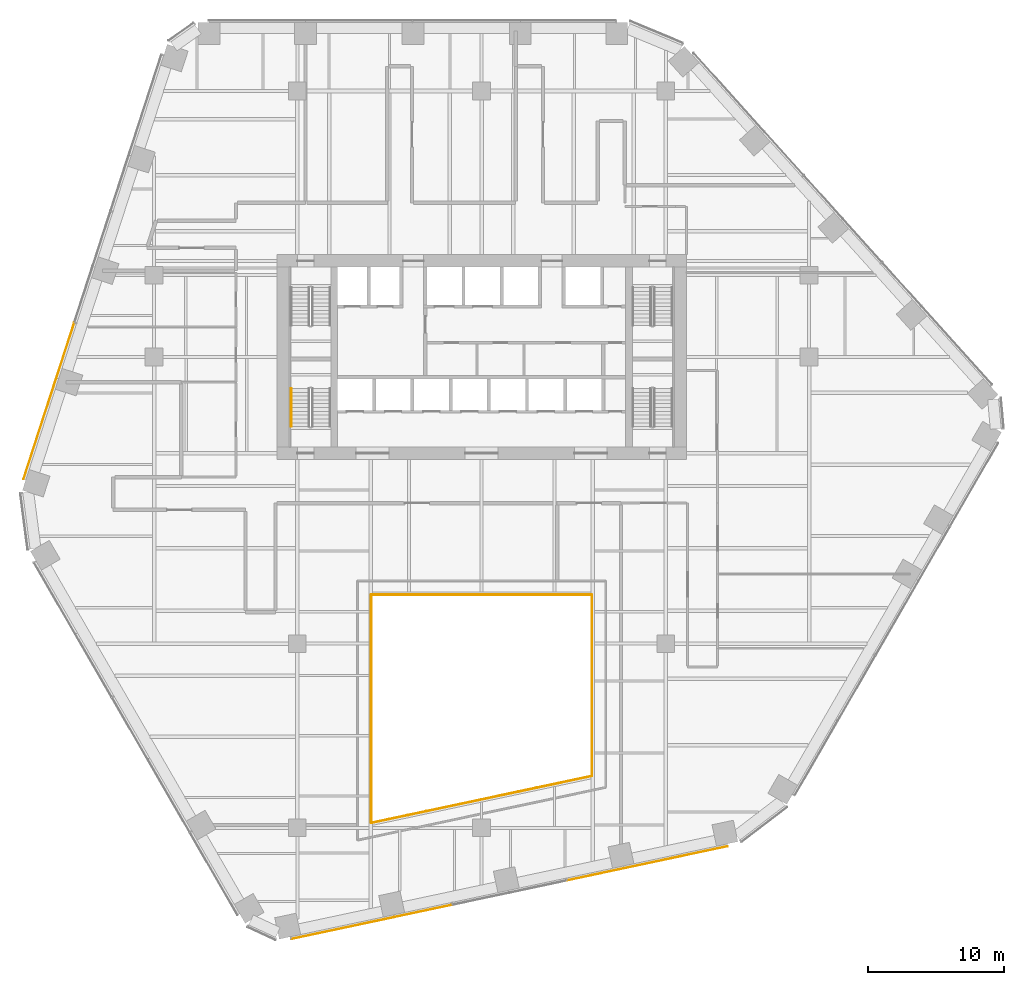
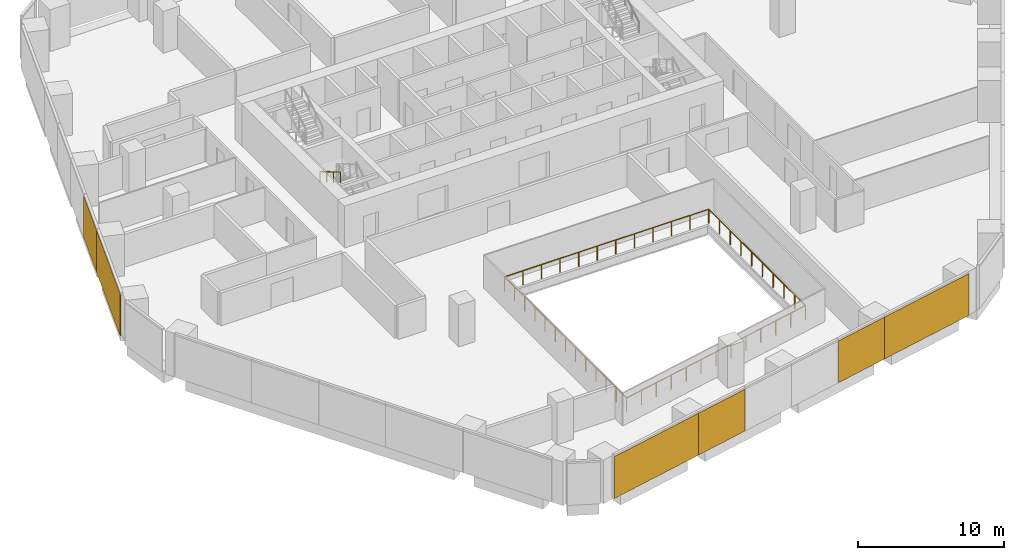
# One storey, part 18 of 21: 6 coverings, 5 railings, 2 elements without a shape of their own.
"""IFC4 building model written with IfcOpenShell, lengths in metres."""

from ifc_helpers import new_model, si_unit, direction, frame, origin, origin_2d, place, context, subcontext, project, spatial, rectangle, circle, extrude, material, layer, layer_set, type_object, element, aggregate, save


model = new_model("IFC4")

# Units and contexts
model_context = context("Model", 3, precision=1e-05, world=origin(), true_north=direction((0.0, 1.0)))
body_context = subcontext(model_context, "Body", "Model", "MODEL_VIEW")
ifc_project = project(units=[si_unit("LENGTHUNIT", "METRE"), si_unit("AREAUNIT", "SQUARE_METRE"), si_unit("VOLUMEUNIT", "CUBIC_METRE"), si_unit("PLANEANGLEUNIT", "RADIAN"), si_unit("MASSUNIT", "GRAM", prefix="KILO")], contexts=[model_context])

# Site, building, storey
site_placement = place(None, origin())
site = spatial("IfcSite", under=ifc_project, at=site_placement, CompositionType="ELEMENT")
building_placement = place(site_placement, origin())
building = spatial("IfcBuilding", under=site, at=building_placement, Name="Isthmus Gate Tower", CompositionType="ELEMENT")
storey_placement = place(building_placement, frame((0.0, 0.0, 102.550048828125)))
storey = spatial("IfcBuildingStorey", under=building, at=storey_placement, Name="L24", CompositionType="ELEMENT", Elevation=102.550048828125)

# Railings
ifc_material_1 = material(Name="Laminated toughened glass balustrade with steel rail", Category="steel")
railing_type_1 = type_object("IfcRailingType", Name="ATRIUM GUARD GLASS BALUSTRADE 1200", PredefinedType="GUARDRAIL", material=ifc_material_1)
railing_1_placement = place(storey_placement, frame((-8.080078125, -26.642822265625, 0.0)))
element("IfcRailing", 1, at=railing_1_placement, inside=storey, type_object=railing_type_1, Name="L24 atrium guard", PredefinedType="GUARDRAIL", context=body_context, shape_type="SweptSolid", body=[
    extrude(circle(Radius=0.02490234375, at=origin_2d()), frame((0.0, 0.0, 1.1748046875), z_axis=(0.0, 1.0, 0.0), x_axis=(-1.0, 0.0, 0.0)), (0.0, 0.0, 1.0), 16.722900390625),
    extrude(circle(Radius=0.02490234375, at=origin_2d()), origin(), (0.0, 0.0, 1.0), 1.14990234375),
    extrude(circle(Radius=0.02490234375, at=origin_2d()), frame((0.0, 1.3935546875, 0.0)), (0.0, 0.0, 1.0), 1.14990234375),
    extrude(circle(Radius=0.02490234375, at=origin_2d()), frame((0.0, 2.787109375, 0.0)), (0.0, 0.0, 1.0), 1.14990234375),
    extrude(circle(Radius=0.02490234375, at=origin_2d()), frame((0.0, 4.1806640625, 0.0)), (0.0, 0.0, 1.0), 1.14990234375),
    extrude(circle(Radius=0.02490234375, at=origin_2d()), frame((0.0, 5.57421875, 0.0)), (0.0, 0.0, 1.0), 1.14990234375),
    extrude(circle(Radius=0.02490234375, at=origin_2d()), frame((0.0, 6.9677734375, 0.0)), (0.0, 0.0, 1.0), 1.14990234375),
    extrude(circle(Radius=0.02490234375, at=origin_2d()), frame((0.0, 8.361328125, 0.0)), (0.0, 0.0, 1.0), 1.14990234375),
    extrude(circle(Radius=0.02490234375, at=origin_2d()), frame((0.0, 9.755126953125, 0.0)), (0.0, 0.0, 1.0), 1.14990234375),
    extrude(circle(Radius=0.02490234375, at=origin_2d()), frame((0.0, 11.148681640625, 0.0)), (0.0, 0.0, 1.0), 1.14990234375),
    extrude(circle(Radius=0.02490234375, at=origin_2d()), frame((0.0, 12.542236328125, 0.0)), (0.0, 0.0, 1.0), 1.14990234375),
    extrude(circle(Radius=0.02490234375, at=origin_2d()), frame((0.0, 13.935791015625, 0.0)), (0.0, 0.0, 1.0), 1.14990234375),
    extrude(circle(Radius=0.02490234375, at=origin_2d()), frame((0.0, 15.329345703125, 0.0)), (0.0, 0.0, 1.0), 1.14990234375),
    extrude(circle(Radius=0.02490234375, at=origin_2d()), frame((0.0, 16.722900390625, 0.0)), (0.0, 0.0, 1.0), 1.14990234375),
])
railing_2_placement = place(storey_placement, frame((-8.080078125, -9.919921875, 0.0)))
element("IfcRailing", 2, at=railing_2_placement, inside=storey, type_object=railing_type_1, Name="L24 atrium guard", PredefinedType="GUARDRAIL", context=body_context, shape_type="SweptSolid", body=[
    extrude(circle(Radius=0.02490234375, at=origin_2d()), frame((0.0, 0.0, 1.1748046875), z_axis=(1.0, 0.0, 0.0), x_axis=(0.0, 1.0, 0.0)), (0.0, 0.0, 1.0), 16.16015625),
    extrude(circle(Radius=0.02490234375, at=origin_2d()), origin(), (0.0, 0.0, 1.0), 1.14990234375),
    extrude(circle(Radius=0.02490234375, at=origin_2d()), frame((1.468994140625, 0.0, 0.0)), (0.0, 0.0, 1.0), 1.14990234375),
    extrude(circle(Radius=0.02490234375, at=origin_2d()), frame((2.938232421875, 0.0, 0.0)), (0.0, 0.0, 1.0), 1.14990234375),
    extrude(circle(Radius=0.02490234375, at=origin_2d()), frame((4.4072265625, 0.0, 0.0)), (0.0, 0.0, 1.0), 1.14990234375),
    extrude(circle(Radius=0.02490234375, at=origin_2d()), frame((5.87646484375, 0.0, 0.0)), (0.0, 0.0, 1.0), 1.14990234375),
    extrude(circle(Radius=0.02490234375, at=origin_2d()), frame((7.345458984375, 0.0, 0.0)), (0.0, 0.0, 1.0), 1.14990234375),
    extrude(circle(Radius=0.02490234375, at=origin_2d()), frame((8.814697265625, 0.0, 0.0)), (0.0, 0.0, 1.0), 1.14990234375),
    extrude(circle(Radius=0.02490234375, at=origin_2d()), frame((10.28369140625, 0.0, 0.0)), (0.0, 0.0, 1.0), 1.14990234375),
    extrude(circle(Radius=0.02490234375, at=origin_2d()), frame((11.7529296875, 0.0, 0.0)), (0.0, 0.0, 1.0), 1.14990234375),
    extrude(circle(Radius=0.02490234375, at=origin_2d()), frame((13.221923828125, 0.0, 0.0)), (0.0, 0.0, 1.0), 1.14990234375),
    extrude(circle(Radius=0.02490234375, at=origin_2d()), frame((14.691162109375, 0.0, 0.0)), (0.0, 0.0, 1.0), 1.14990234375),
    extrude(circle(Radius=0.02490234375, at=origin_2d()), frame((16.16015625, 0.0, 0.0)), (0.0, 0.0, 1.0), 1.14990234375),
])
railing_3_placement = place(storey_placement, frame((8.080078125, -9.919921875, 0.0)))
element("IfcRailing", 3, at=railing_3_placement, inside=storey, type_object=railing_type_1, Name="L24 atrium guard", PredefinedType="GUARDRAIL", context=body_context, shape_type="SweptSolid", body=[
    extrude(circle(Radius=0.02490234375, at=origin_2d()), frame((0.0, 0.0, 1.1748046875), z_axis=(0.0, -1.0, 0.0), x_axis=(1.0, 0.0, 0.0)), (0.0, 0.0, 1.0), 13.2880859375),
    extrude(circle(Radius=0.02490234375, at=origin_2d()), origin(), (0.0, 0.0, 1.0), 1.14990234375),
    extrude(circle(Radius=0.02490234375, at=origin_2d()), frame((0.0, -1.4765625, 0.0)), (0.0, 0.0, 1.0), 1.14990234375),
    extrude(circle(Radius=0.02490234375, at=origin_2d()), frame((0.0, -2.952880859375, 0.0)), (0.0, 0.0, 1.0), 1.14990234375),
    extrude(circle(Radius=0.02490234375, at=origin_2d()), frame((0.0, -4.429443359375, 0.0)), (0.0, 0.0, 1.0), 1.14990234375),
    extrude(circle(Radius=0.02490234375, at=origin_2d()), frame((0.0, -5.90576171875, 0.0)), (0.0, 0.0, 1.0), 1.14990234375),
    extrude(circle(Radius=0.02490234375, at=origin_2d()), frame((0.0, -7.38232421875, 0.0)), (0.0, 0.0, 1.0), 1.14990234375),
    extrude(circle(Radius=0.02490234375, at=origin_2d()), frame((0.0, -8.858642578125, 0.0)), (0.0, 0.0, 1.0), 1.14990234375),
    extrude(circle(Radius=0.02490234375, at=origin_2d()), frame((0.0, -10.335205078125, 0.0)), (0.0, 0.0, 1.0), 1.14990234375),
    extrude(circle(Radius=0.02490234375, at=origin_2d()), frame((0.0, -11.8115234375, 0.0)), (0.0, 0.0, 1.0), 1.14990234375),
    extrude(circle(Radius=0.02490234375, at=origin_2d()), frame((0.0, -13.2880859375, 0.0)), (0.0, 0.0, 1.0), 1.14990234375),
])
railing_4_placement = place(storey_placement, frame((8.080078125, -23.2080078125, 0.0)))
element("IfcRailing", 4, at=railing_4_placement, inside=storey, type_object=railing_type_1, Name="L24 atrium guard", PredefinedType="GUARDRAIL", context=body_context, shape_type="SweptSolid", body=[
    extrude(circle(Radius=0.02490234375, at=origin_2d()), frame((0.0, 0.0, 1.1748046875), z_axis=(-0.978149235358, -0.207904000366, 0.0), x_axis=(0.207904000366, -0.978149235358, 0.0)), (0.0, 0.0, 1.0), 16.521240234375),
    extrude(circle(Radius=0.02490234375, at=origin_2d()), origin(), (0.0, 0.0, 1.0), 1.14990234375),
    extrude(circle(Radius=0.02490234375, at=origin_2d()), frame((-1.3466796875, -0.2861328125, 0.0)), (0.0, 0.0, 1.0), 1.14990234375),
    extrude(circle(Radius=0.02490234375, at=origin_2d()), frame((-2.693359375, -0.572509765625, 0.0)), (0.0, 0.0, 1.0), 1.14990234375),
    extrude(circle(Radius=0.02490234375, at=origin_2d()), frame((-4.0400390625, -0.858642578125, 0.0)), (0.0, 0.0, 1.0), 1.14990234375),
    extrude(circle(Radius=0.02490234375, at=origin_2d()), frame((-5.38671875, -1.14501953125, 0.0)), (0.0, 0.0, 1.0), 1.14990234375),
    extrude(circle(Radius=0.02490234375, at=origin_2d()), frame((-6.7333984375, -1.43115234375, 0.0)), (0.0, 0.0, 1.0), 1.14990234375),
    extrude(circle(Radius=0.02490234375, at=origin_2d()), frame((-8.080078125, -1.71728515625, 0.0)), (0.0, 0.0, 1.0), 1.14990234375),
    extrude(circle(Radius=0.02490234375, at=origin_2d()), frame((-9.4267578125, -2.003662109375, 0.0)), (0.0, 0.0, 1.0), 1.14990234375),
    extrude(circle(Radius=0.02490234375, at=origin_2d()), frame((-10.7734375, -2.289794921875, 0.0)), (0.0, 0.0, 1.0), 1.14990234375),
    extrude(circle(Radius=0.02490234375, at=origin_2d()), frame((-12.1201171875, -2.576171875, 0.0)), (0.0, 0.0, 1.0), 1.14990234375),
    extrude(circle(Radius=0.02490234375, at=origin_2d()), frame((-13.466796875, -2.8623046875, 0.0)), (0.0, 0.0, 1.0), 1.14990234375),
    extrude(circle(Radius=0.02490234375, at=origin_2d()), frame((-14.8134765625, -3.148681640625, 0.0)), (0.0, 0.0, 1.0), 1.14990234375),
    extrude(circle(Radius=0.02490234375, at=origin_2d()), frame((-16.16015625, -3.434814453125, 0.0)), (0.0, 0.0, 1.0), 1.14990234375),
])

# Curtain wall, coverings
ifc_material_2 = material(Name="Aluminium, pale champagne anodised", Category="aluminium")
ifc_layer_1 = layer(ifc_material_2, 0.199951171875)
ifc_layer_set_1 = layer_set([ifc_layer_1], Name="CW-1 UNITISED CURTAIN WALL 200 DEEP")
curtain_wall_type = type_object("IfcCurtainWallType", Name="CW-1 UNITISED CURTAIN WALL 200 DEEP", PredefinedType="NOTDEFINED", material=ifc_layer_set_1)
curtain_wall_1_placement = place(storey_placement, origin())
curtain_wall_1 = element("IfcCurtainWall", 5, at=curtain_wall_1_placement, inside=storey, type_object=curtain_wall_type, Name="CW-1 NW L24", PredefinedType="NOTDEFINED")
ifc_material_3 = material(Name="Aluminium composite panel, pale champagne anodised", Category="aluminium")
ifc_layer_2 = layer(ifc_material_3, 0.0400390625)
ifc_layer_set_2 = layer_set([ifc_layer_2], Name="CW-1 PALE METAL PANEL 40")
covering_type = type_object("IfcCoveringType", Name="CW-1 PALE METAL PANEL 40", PredefinedType="CLADDING", material=ifc_layer_set_2)
covering_1_placement = place(storey_placement, frame((-30.5087890625, 7.9775390625, 0.0), z_axis=(0.0, 0.0, 1.0), x_axis=(-0.309016994375, -0.951056516295, 0.0)))
covering_1 = element("IfcCovering", 6, at=covering_1_placement, type_object=covering_type, Name="CW-1 pale metal panel", PredefinedType="CLADDING", context=body_context, shape_type="SweptSolid", body=[
    extrude(rectangle(XDim=4.234619140625, YDim=0.0400390625, at=origin_2d()), origin(), (0.0, 0.0, 1.0), 3.5),
])
covering_2_placement = place(storey_placement, frame((-32.36669921875, 2.259765625, 0.0), z_axis=(0.0, 0.0, 1.0), x_axis=(-0.309016994375, -0.951056516295, 0.0)))
covering_2 = element("IfcCovering", 7, at=covering_2_placement, type_object=covering_type, Name="CW-1 pale metal panel", PredefinedType="CLADDING", context=body_context, shape_type="SweptSolid", body=[
    extrude(rectangle(XDim=7.789306640625, YDim=0.0400390625, at=origin_2d()), origin(), (0.0, 0.0, 1.0), 3.5),
])
aggregate(curtain_wall_1, [covering_1, covering_2])

curtain_wall_2_placement = place(storey_placement, origin())
curtain_wall_2 = element("IfcCurtainWall", 8, at=curtain_wall_2_placement, inside=storey, type_object=curtain_wall_type, Name="CW-1 S L24", PredefinedType="NOTDEFINED")
covering_3_placement = place(storey_placement, frame((-10.166748046875, -34.344970703125, 0.0), z_axis=(0.0, 0.0, 1.0), x_axis=(0.978147600734, 0.207911690818, 0.0)))
covering_3 = element("IfcCovering", 9, at=covering_3_placement, type_object=covering_type, Name="CW-1 pale metal panel", PredefinedType="CLADDING", context=body_context, shape_type="SweptSolid", body=[
    extrude(rectangle(XDim=7.729248046875, YDim=0.0400390625, at=origin_2d()), origin(), (0.0, 0.0, 1.0), 3.5),
])
covering_4_placement = place(storey_placement, frame((-4.2861328125, -33.094970703125, 0.0), z_axis=(0.0, 0.0, 1.0), x_axis=(0.978147600734, 0.207911690818, 0.0)))
covering_4 = element("IfcCovering", 10, at=covering_4_placement, type_object=covering_type, Name="CW-1 pale metal panel", PredefinedType="CLADDING", context=body_context, shape_type="SweptSolid", body=[
    extrude(rectangle(XDim=4.294677734375, YDim=0.0400390625, at=origin_2d()), origin(), (0.0, 0.0, 1.0), 3.5),
])
covering_5_placement = place(storey_placement, frame((8.345703125, -30.41015625, 0.0), z_axis=(0.0, 0.0, 1.0), x_axis=(0.978147600734, 0.207911690818, 0.0)))
covering_5 = element("IfcCovering", 11, at=covering_5_placement, type_object=covering_type, Name="CW-1 pale metal panel", PredefinedType="CLADDING", context=body_context, shape_type="SweptSolid", body=[
    extrude(rectangle(XDim=4.234619140625, YDim=0.0400390625, at=origin_2d()), origin(), (0.0, 0.0, 1.0), 3.5),
])
covering_6_placement = place(storey_placement, frame((14.226318359375, -29.16015625, 0.0), z_axis=(0.0, 0.0, 1.0), x_axis=(0.978147600734, 0.207911690818, 0.0)))
covering_6 = element("IfcCovering", 12, at=covering_6_placement, type_object=covering_type, Name="CW-1 pale metal panel", PredefinedType="CLADDING", context=body_context, shape_type="SweptSolid", body=[
    extrude(rectangle(XDim=7.789306640625, YDim=0.0400390625, at=origin_2d()), origin(), (0.0, 0.0, 1.0), 3.5),
])
aggregate(curtain_wall_2, [covering_3, covering_4, covering_5, covering_6])

# Railing
ifc_material_4 = material(Name="Stainless steel handrail", Category="steel")
railing_type_2 = type_object("IfcRailingType", Name="STAIR HANDRAIL 900", PredefinedType="HANDRAIL", material=ifc_material_4)
railing_5_placement = place(storey_placement, frame((-13.949951171875, 5.199951171875, 1.990966796875)))
element("IfcRailing", 13, at=railing_5_placement, inside=storey, type_object=railing_type_2, Name="L24 ST7 stair handrail 2", PredefinedType="HANDRAIL", context=body_context, shape_type="SweptSolid", body=[
    extrude(circle(Radius=0.02392578125, at=origin_2d()), frame((0.0, 0.0, 0.8759765625), z_axis=(0.0, -0.860339051648, 0.50972219513), x_axis=(1.0, 0.0, 0.0)), (0.0, 0.0, 1.0), 3.254638671875),
    extrude(circle(Radius=0.02099609375, at=origin_2d()), origin(), (0.0, 0.0, 1.0), 0.851806640625),
    extrude(circle(Radius=0.02099609375, at=origin_2d()), frame((0.0, -0.933349609375, 0.552978515625)), (0.0, 0.0, 1.0), 0.851806640625),
    extrude(circle(Radius=0.02099609375, at=origin_2d()), frame((0.0, -1.86669921875, 1.10595703125)), (0.0, 0.0, 1.0), 0.851806640625),
    extrude(circle(Radius=0.02099609375, at=origin_2d()), frame((0.0, -2.800048828125, 1.658935546875)), (0.0, 0.0, 1.0), 0.851806640625),
])

save(model, "model.ifc")
